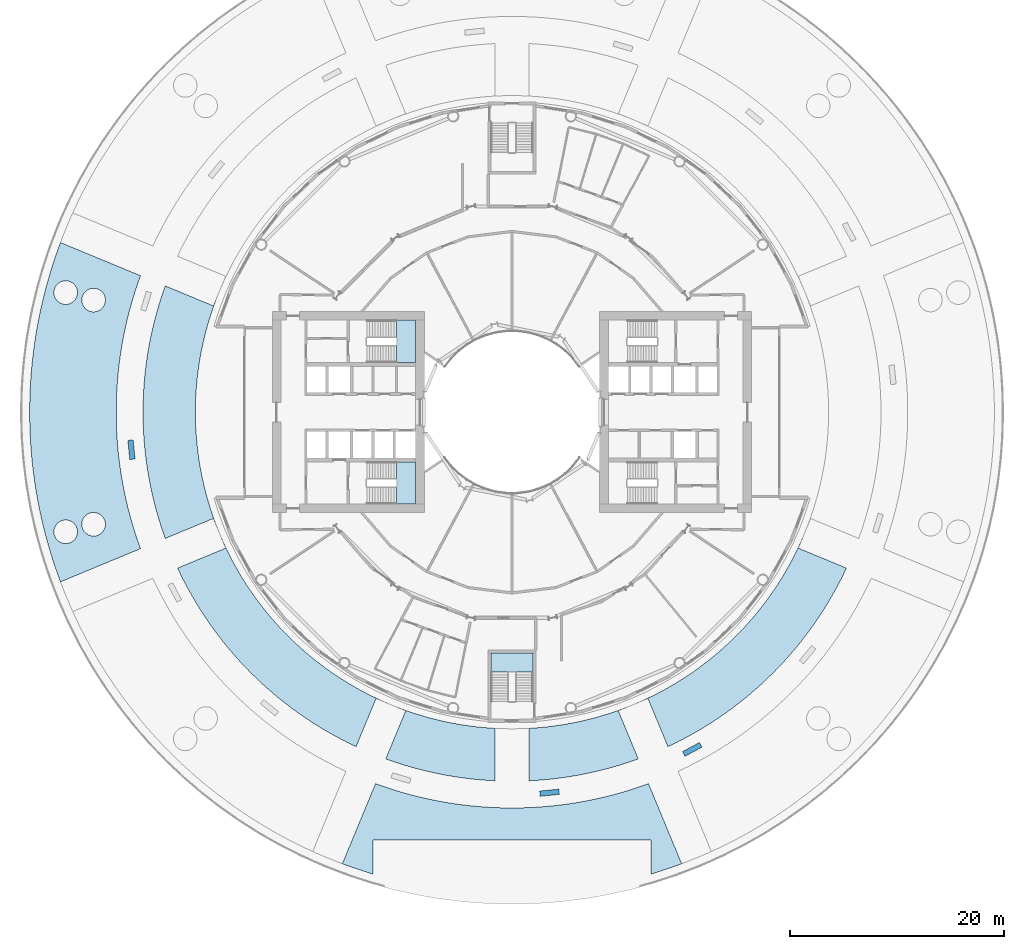
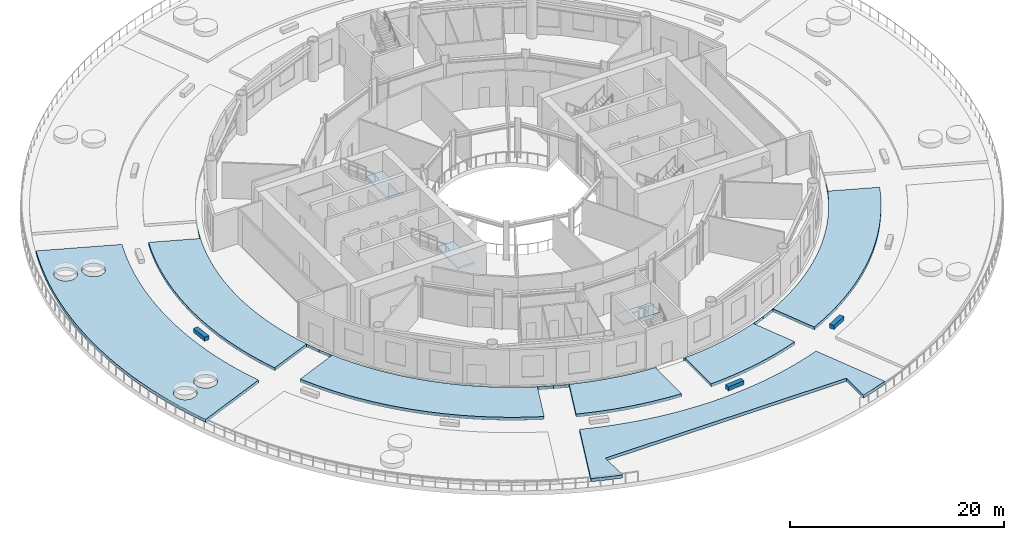
# One storey, part 4 of 19: 13 slabs, 3 elements without a shape of their own.
"""IFC4 building model written with IfcOpenShell, lengths in metres."""

from ifc_helpers import new_model, si_unit, direction, frame, origin, place, context, subcontext, project, spatial, polyline, outline, extrude, material, layer, layer_set, type_object, element, aggregate, save


model = new_model("IFC4")

# Units and contexts
model_context = context("Model", 3, precision=1e-05, world=origin(), true_north=direction((0.0, 1.0)))
body_context = subcontext(model_context, "Body", "Model", "MODEL_VIEW")
ifc_project = project(units=[si_unit("LENGTHUNIT", "METRE"), si_unit("AREAUNIT", "SQUARE_METRE"), si_unit("VOLUMEUNIT", "CUBIC_METRE"), si_unit("PLANEANGLEUNIT", "RADIAN"), si_unit("MASSUNIT", "GRAM", prefix="KILO")], contexts=[model_context])

# Site, building, storey
site_placement = place(None, origin())
site = spatial("IfcSite", under=ifc_project, at=site_placement, CompositionType="ELEMENT")
building_placement = place(site_placement, origin())
building = spatial("IfcBuilding", under=site, at=building_placement, Name="Maasbend Ring Residences", CompositionType="ELEMENT")
storey_placement = place(building_placement, frame((0.0, 0.0, 9.60009765625)))
storey = spatial("IfcBuildingStorey", under=building, at=storey_placement, Name="L02", CompositionType="ELEMENT", Elevation=9.60009765625)

# Slabs
ifc_material_1 = material(Name="Timber slats on steel frame", Category="steel")
ifc_layer_1 = layer(ifc_material_1, 0.449951171875)
ifc_layer_set_1 = layer_set([ifc_layer_1], Name="BENCH-DK")
slab_type_1 = type_object("IfcSlabType", Name="BENCH-DK", PredefinedType="USERDEFINED", material=ifc_layer_set_1)
slab_1_placement = place(storey_placement, frame((0.0, 0.0, 0.0498046875)))
element("IfcSlab", 1, at=slab_1_placement, inside=storey, type_object=slab_type_1, Name="Garden bench 9", ObjectType="BENCH", PredefinedType="USERDEFINED", context=body_context, shape_type="SweptSolid", body=[
    extrude(outline(polyline([(-35.9150390625, -2.633056640625), (-35.738037109375, -4.424072265625), (-35.240966796875, -4.375), (-35.4169921875, -2.583984375), (-35.9150390625, -2.633056640625)])), origin(), (0.0, 0.0, 1.0), 0.4501953125),
])
slab_2_placement = place(storey_placement, frame((0.0, 0.0, 0.0498046875)))
element("IfcSlab", 2, at=slab_2_placement, inside=storey, type_object=slab_type_1, Name="Garden bench 13", ObjectType="BENCH", PredefinedType="USERDEFINED", context=body_context, shape_type="SweptSolid", body=[
    extrude(outline(polyline([(2.633056640625, -35.9150390625), (4.424072265625, -35.738037109375), (4.375, -35.240966796875), (2.583984375, -35.4169921875), (2.633056640625, -35.9150390625)])), origin(), (0.0, 0.0, 1.0), 0.4501953125),
])
slab_3_placement = place(storey_placement, frame((0.0, 0.0, 0.0498046875)))
element("IfcSlab", 3, at=slab_3_placement, inside=storey, type_object=slab_type_1, Name="Garden bench 14", ObjectType="BENCH", PredefinedType="USERDEFINED", context=body_context, shape_type="SweptSolid", body=[
    extrude(outline(polyline([(16.177001953125, -32.173095703125), (17.763916015625, -31.324951171875), (17.528076171875, -30.884033203125), (15.94091796875, -31.73193359375), (16.177001953125, -32.173095703125)])), origin(), (0.0, 0.0, 1.0), 0.4501953125),
])

# Stair, slab
ifc_material_2 = material(Name="Concrete C40/50", Category="concrete")
stair_type = type_object("IfcStairType", Name="CORE STAIR 24 RISERS", PredefinedType="HALF_TURN_STAIR", material=ifc_material_2)
stair_1_placement = place(storey_placement, origin())
stair_1 = element("IfcStair", 4, at=stair_1_placement, inside=storey, type_object=stair_type, Name="L02 Exit stair ST-W1", PredefinedType="HALF_TURN_STAIR")
ifc_material_3 = material(Name="Concrete C40/50", Category="concrete")
ifc_layer_2 = layer(ifc_material_3, 0.199951171875)
ifc_layer_set_2 = layer_set([ifc_layer_2], Name="Concrete C40/50")
slab_type_2 = type_object("IfcSlabType", Name="CORE STAIR LANDING 200", PredefinedType="LANDING", material=ifc_layer_set_2)
slab_4_placement = place(storey_placement, frame((0.0, 0.0, 2.0498046875)))
slab_4 = element("IfcSlab", 5, at=slab_4_placement, type_object=slab_type_2, Name="ST-W1 landing 1", PredefinedType="LANDING", context=body_context, shape_type="SweptSolid", body=[
    extrude(outline(polyline([(-10.800048828125, -8.60009765625), (-9.0, -8.60009765625), (-9.0, -4.64990234375), (-10.800048828125, -4.64990234375), (-10.800048828125, -8.60009765625)])), origin(), (0.0, 0.0, 1.0), 0.2001953125),
])
aggregate(stair_1, [slab_4])

stair_2_placement = place(storey_placement, origin())
stair_2 = element("IfcStair", 6, at=stair_2_placement, inside=storey, type_object=stair_type, Name="L02 Exit stair ST-W2", PredefinedType="HALF_TURN_STAIR")
slab_5_placement = place(storey_placement, frame((0.0, 0.0, 2.0498046875)))
slab_5 = element("IfcSlab", 7, at=slab_5_placement, type_object=slab_type_2, Name="ST-W2 landing 1", PredefinedType="LANDING", context=body_context, shape_type="SweptSolid", body=[
    extrude(outline(polyline([(-10.800048828125, 4.64990234375), (-9.0, 4.64990234375), (-9.0, 8.60009765625), (-10.800048828125, 8.60009765625), (-10.800048828125, 4.64990234375)])), origin(), (0.0, 0.0, 1.0), 0.2001953125),
])
aggregate(stair_2, [slab_5])

stair_3_placement = place(storey_placement, origin())
stair_3 = element("IfcStair", 8, at=stair_3_placement, inside=storey, type_object=stair_type, Name="L02 Exit stair ST-P3", PredefinedType="HALF_TURN_STAIR")
slab_6_placement = place(storey_placement, frame((0.0, 0.0, 2.0498046875)))
slab_6 = element("IfcSlab", 9, at=slab_6_placement, type_object=slab_type_2, Name="ST-P3 landing 1", PredefinedType="LANDING", context=body_context, shape_type="SweptSolid", body=[
    extrude(outline(polyline([(1.97509765625, -24.300048828125), (1.97509765625, -22.5), (-1.97509765625, -22.5), (-1.97509765625, -24.300048828125), (1.97509765625, -24.300048828125)])), origin(), (0.0, 0.0, 1.0), 0.2001953125),
])
aggregate(stair_3, [slab_6])

# Slabs
ifc_material_4 = material(Name="Lawn and planting")
ifc_layer_3 = layer(ifc_material_4, 0.89990234375)
ifc_layer_set_3 = layer_set([ifc_layer_3], Name="PLANTER-DK")
slab_type_3 = type_object("IfcSlabType", Name="PLANTER-DK", PredefinedType="USERDEFINED", material=ifc_layer_set_3)
slab_7_placement = place(storey_placement, origin())
element("IfcSlab", 10, at=slab_7_placement, inside=storey, type_object=slab_type_3, Name="Lawn and planting bed 3", ObjectType="PLANTER", PredefinedType="USERDEFINED", context=body_context, shape_type="SweptSolid", body=[
    extrude(outline(polyline([(14.4970703125, -42.70703125), (13.7958984375, -42.93798828125), (13.092041015625, -43.157958984375), (13.0, -43.18505859375), (13.0, -40.0), (-13.0, -40.0), (-13.0, -43.18505859375), (-13.092041015625, -43.157958984375), (-13.7958984375, -42.93798828125), (-14.4970703125, -42.70703125), (-15.194091796875, -42.464111328125), (-15.864013671875, -42.218017578125), (-12.760986328125, -34.72802734375), (-12.465087890625, -34.8369140625), (-11.89306640625, -35.035888671875), (-11.318115234375, -35.22607421875), (-10.740966796875, -35.406982421875), (-10.159912109375, -35.577880859375), (-9.575927734375, -35.739013671875), (-8.989990234375, -35.89111328125), (-8.402099609375, -36.032958984375), (-7.81103515625, -36.166015625), (-7.218017578125, -36.2890625), (-6.6240234375, -36.402099609375), (-6.027099609375, -36.506103515625), (-5.428955078125, -36.60009765625), (-4.8291015625, -36.68310546875), (-4.22900390625, -36.758056640625), (-3.626953125, -36.822021484375), (-3.02392578125, -36.8759765625), (-2.419921875, -36.9208984375), (-1.81591796875, -36.955078125), (-1.2109375, -36.97998046875), (-0.60498046875, -36.9951171875), (0.0, -37.0), (0.60498046875, -36.9951171875), (1.2109375, -36.97998046875), (1.81591796875, -36.955078125), (2.419921875, -36.9208984375), (3.02392578125, -36.8759765625), (3.626953125, -36.822021484375), (4.22900390625, -36.758056640625), (4.8291015625, -36.68310546875), (5.428955078125, -36.60009765625), (6.027099609375, -36.506103515625), (6.6240234375, -36.402099609375), (7.218017578125, -36.2890625), (7.81103515625, -36.166015625), (8.402099609375, -36.032958984375), (8.989990234375, -35.89111328125), (9.575927734375, -35.739013671875), (10.159912109375, -35.577880859375), (10.740966796875, -35.406982421875), (11.318115234375, -35.22607421875), (11.89306640625, -35.035888671875), (12.465087890625, -34.8369140625), (12.760986328125, -34.72802734375), (15.864013671875, -42.218017578125), (15.885986328125, -42.208984375), (15.194091796875, -42.464111328125), (14.4970703125, -42.70703125)])), origin(), (0.0, 0.0, 1.0), 0.349853515625),
])
slab_8_placement = place(storey_placement, origin())
element("IfcSlab", 11, at=slab_8_placement, inside=storey, type_object=slab_type_3, Name="Lawn and planting bed 5", ObjectType="PLANTER", PredefinedType="USERDEFINED", context=body_context, shape_type="SweptSolid", body=[
    extrude(outline(polyline([(-42.70703125, -14.4970703125), (-42.93798828125, -13.7958984375), (-43.157958984375, -13.092041015625), (-43.365966796875, -12.384033203125), (-43.56298828125, -11.673095703125), (-43.748046875, -10.9580078125), (-43.922119140625, -10.240966796875), (-44.083984375, -9.52099609375), (-44.23291015625, -8.799072265625), (-44.37109375, -8.073974609375), (-44.498046875, -7.346923828125), (-44.612060546875, -6.617919921875), (-44.714111328125, -5.886962890625), (-44.803955078125, -5.154052734375), (-44.883056640625, -4.4208984375), (-44.948974609375, -3.68603515625), (-45.0029296875, -2.949951171875), (-45.0458984375, -2.212890625), (-45.075927734375, -1.47607421875), (-45.093994140625, -0.738037109375), (-45.10009765625, 0.0), (-45.093994140625, 0.738037109375), (-45.075927734375, 1.47607421875), (-45.0458984375, 2.212890625), (-45.0029296875, 2.949951171875), (-44.948974609375, 3.68603515625), (-44.883056640625, 4.4208984375), (-44.803955078125, 5.154052734375), (-44.714111328125, 5.886962890625), (-44.612060546875, 6.617919921875), (-44.498046875, 7.346923828125), (-44.37109375, 8.073974609375), (-44.23291015625, 8.799072265625), (-44.083984375, 9.52099609375), (-43.922119140625, 10.240966796875), (-43.748046875, 10.9580078125), (-43.56298828125, 11.673095703125), (-43.365966796875, 12.384033203125), (-43.157958984375, 13.092041015625), (-42.93798828125, 13.7958984375), (-42.70703125, 14.4970703125), (-42.464111328125, 15.194091796875), (-42.218017578125, 15.864013671875), (-34.72802734375, 12.760986328125), (-34.8369140625, 12.465087890625), (-35.035888671875, 11.89306640625), (-35.22607421875, 11.318115234375), (-35.406982421875, 10.740966796875), (-35.577880859375, 10.159912109375), (-35.739013671875, 9.575927734375), (-35.89111328125, 8.989990234375), (-36.032958984375, 8.402099609375), (-36.166015625, 7.81103515625), (-36.2890625, 7.218017578125), (-36.402099609375, 6.6240234375), (-36.506103515625, 6.027099609375), (-36.60009765625, 5.428955078125), (-36.68310546875, 4.8291015625), (-36.758056640625, 4.22900390625), (-36.822021484375, 3.626953125), (-36.8759765625, 3.02392578125), (-36.9208984375, 2.419921875), (-36.955078125, 1.81591796875), (-36.97998046875, 1.2109375), (-36.9951171875, 0.60498046875), (-37.0, 0.0), (-36.9951171875, -0.60498046875), (-36.97998046875, -1.2109375), (-36.955078125, -1.81591796875), (-36.9208984375, -2.419921875), (-36.8759765625, -3.02392578125), (-36.822021484375, -3.626953125), (-36.758056640625, -4.22900390625), (-36.68310546875, -4.8291015625), (-36.60009765625, -5.428955078125), (-36.506103515625, -6.027099609375), (-36.402099609375, -6.6240234375), (-36.2890625, -7.218017578125), (-36.166015625, -7.81103515625), (-36.032958984375, -8.402099609375), (-35.89111328125, -8.989990234375), (-35.739013671875, -9.575927734375), (-35.577880859375, -10.159912109375), (-35.406982421875, -10.740966796875), (-35.22607421875, -11.318115234375), (-35.035888671875, -11.89306640625), (-34.8369140625, -12.465087890625), (-34.72802734375, -12.760986328125), (-42.218017578125, -15.864013671875), (-42.464111328125, -15.194091796875), (-42.70703125, -14.4970703125)]), holes=[polyline([(-38.1669921875, 9.931884765625), (-38.10400390625, 10.06103515625), (-38.056884765625, 10.197021484375), (-38.029052734375, 10.339111328125), (-38.02001953125, 10.48193359375), (-38.029052734375, 10.6259765625), (-38.056884765625, 10.76708984375), (-38.10400390625, 10.903076171875), (-38.1669921875, 11.031982421875), (-38.2470703125, 11.152099609375), (-38.342041015625, 11.260009765625), (-38.449951171875, 11.35498046875), (-38.570068359375, 11.43505859375), (-38.698974609375, 11.498046875), (-38.8349609375, 11.544921875), (-38.97607421875, 11.572998046875), (-39.1201171875, 11.58203125), (-39.263916015625, 11.572998046875), (-39.405029296875, 11.544921875), (-39.541015625, 11.498046875), (-39.669921875, 11.43505859375), (-39.7900390625, 11.35498046875), (-39.89794921875, 11.260009765625), (-39.992919921875, 11.152099609375), (-40.072998046875, 11.031982421875), (-40.135986328125, 10.903076171875), (-40.18310546875, 10.76708984375), (-40.2109375, 10.6259765625), (-40.219970703125, 10.48193359375), (-40.2109375, 10.339111328125), (-40.18310546875, 10.197021484375), (-40.135986328125, 10.06103515625), (-40.072998046875, 9.931884765625), (-39.992919921875, 9.81298828125), (-39.89794921875, 9.7041015625), (-39.7900390625, 9.60888671875), (-39.669921875, 9.530029296875), (-39.541015625, 9.466064453125), (-39.405029296875, 9.419921875), (-39.263916015625, 9.39208984375), (-39.1201171875, 9.382080078125), (-38.97607421875, 9.39208984375), (-38.8349609375, 9.419921875), (-38.698974609375, 9.466064453125), (-38.570068359375, 9.530029296875), (-38.449951171875, 9.60888671875), (-38.342041015625, 9.7041015625), (-38.2470703125, 9.81298828125), (-38.1669921875, 9.931884765625)]), polyline([(-38.1669921875, -11.031982421875), (-38.10400390625, -10.903076171875), (-38.056884765625, -10.76708984375), (-38.029052734375, -10.6259765625), (-38.02001953125, -10.48193359375), (-38.029052734375, -10.339111328125), (-38.056884765625, -10.197021484375), (-38.10400390625, -10.06103515625), (-38.1669921875, -9.931884765625), (-38.2470703125, -9.81298828125), (-38.342041015625, -9.7041015625), (-38.449951171875, -9.60888671875), (-38.570068359375, -9.530029296875), (-38.698974609375, -9.466064453125), (-38.8349609375, -9.419921875), (-38.97607421875, -9.39208984375), (-39.1201171875, -9.382080078125), (-39.263916015625, -9.39208984375), (-39.405029296875, -9.419921875), (-39.541015625, -9.466064453125), (-39.669921875, -9.530029296875), (-39.7900390625, -9.60888671875), (-39.89794921875, -9.7041015625), (-39.992919921875, -9.81298828125), (-40.072998046875, -9.931884765625), (-40.135986328125, -10.06103515625), (-40.18310546875, -10.197021484375), (-40.2109375, -10.339111328125), (-40.219970703125, -10.48193359375), (-40.2109375, -10.6259765625), (-40.18310546875, -10.76708984375), (-40.135986328125, -10.903076171875), (-40.072998046875, -11.031982421875), (-39.992919921875, -11.152099609375), (-39.89794921875, -11.260009765625), (-39.7900390625, -11.35498046875), (-39.669921875, -11.43505859375), (-39.541015625, -11.498046875), (-39.405029296875, -11.544921875), (-39.263916015625, -11.572998046875), (-39.1201171875, -11.58203125), (-38.97607421875, -11.572998046875), (-38.8349609375, -11.544921875), (-38.698974609375, -11.498046875), (-38.570068359375, -11.43505859375), (-38.449951171875, -11.35498046875), (-38.342041015625, -11.260009765625), (-38.2470703125, -11.152099609375), (-38.1669921875, -11.031982421875)]), polyline([(-40.7119140625, 10.760009765625), (-40.6650390625, 10.89599609375), (-40.636962890625, 11.037109375), (-40.6279296875, 11.180908203125), (-40.636962890625, 11.324951171875), (-40.6650390625, 11.466064453125), (-40.7119140625, 11.60205078125), (-40.77490234375, 11.73095703125), (-40.85498046875, 11.85107421875), (-40.949951171875, 11.958984375), (-41.05810546875, 12.053955078125), (-41.177978515625, 12.134033203125), (-41.306884765625, 12.197021484375), (-41.443115234375, 12.243896484375), (-41.583984375, 12.27197265625), (-41.72802734375, 12.281005859375), (-41.8720703125, 12.27197265625), (-42.012939453125, 12.243896484375), (-42.14892578125, 12.197021484375), (-42.278076171875, 12.134033203125), (-42.39794921875, 12.053955078125), (-42.506103515625, 11.958984375), (-42.60107421875, 11.85107421875), (-42.680908203125, 11.73095703125), (-42.743896484375, 11.60205078125), (-42.791015625, 11.466064453125), (-42.819091796875, 11.324951171875), (-42.827880859375, 11.180908203125), (-42.819091796875, 11.037109375), (-42.791015625, 10.89599609375), (-42.743896484375, 10.760009765625), (-42.680908203125, 10.631103515625), (-42.60107421875, 10.510986328125), (-42.506103515625, 10.403076171875), (-42.39794921875, 10.30810546875), (-42.278076171875, 10.22802734375), (-42.14892578125, 10.1650390625), (-42.012939453125, 10.117919921875), (-41.8720703125, 10.090087890625), (-41.72802734375, 10.0810546875), (-41.583984375, 10.090087890625), (-41.443115234375, 10.117919921875), (-41.306884765625, 10.1650390625), (-41.177978515625, 10.22802734375), (-41.05810546875, 10.30810546875), (-40.949951171875, 10.403076171875), (-40.85498046875, 10.510986328125), (-40.77490234375, 10.631103515625), (-40.7119140625, 10.760009765625)]), polyline([(-40.7119140625, -11.60205078125), (-40.6650390625, -11.466064453125), (-40.636962890625, -11.324951171875), (-40.6279296875, -11.180908203125), (-40.636962890625, -11.037109375), (-40.6650390625, -10.89599609375), (-40.7119140625, -10.760009765625), (-40.77490234375, -10.631103515625), (-40.85498046875, -10.510986328125), (-40.949951171875, -10.403076171875), (-41.05810546875, -10.30810546875), (-41.177978515625, -10.22802734375), (-41.306884765625, -10.1650390625), (-41.443115234375, -10.117919921875), (-41.583984375, -10.090087890625), (-41.72802734375, -10.0810546875), (-41.8720703125, -10.090087890625), (-42.012939453125, -10.117919921875), (-42.14892578125, -10.1650390625), (-42.278076171875, -10.22802734375), (-42.39794921875, -10.30810546875), (-42.506103515625, -10.403076171875), (-42.60107421875, -10.510986328125), (-42.680908203125, -10.631103515625), (-42.743896484375, -10.760009765625), (-42.791015625, -10.89599609375), (-42.819091796875, -11.037109375), (-42.827880859375, -11.180908203125), (-42.819091796875, -11.324951171875), (-42.791015625, -11.466064453125), (-42.743896484375, -11.60205078125), (-42.680908203125, -11.73095703125), (-42.60107421875, -11.85107421875), (-42.506103515625, -11.958984375), (-42.39794921875, -12.053955078125), (-42.278076171875, -12.134033203125), (-42.14892578125, -12.197021484375), (-42.012939453125, -12.243896484375), (-41.8720703125, -12.27197265625), (-41.72802734375, -12.281005859375), (-41.583984375, -12.27197265625), (-41.443115234375, -12.243896484375), (-41.306884765625, -12.197021484375), (-41.177978515625, -12.134033203125), (-41.05810546875, -12.053955078125), (-40.949951171875, -11.958984375), (-40.85498046875, -11.85107421875), (-40.77490234375, -11.73095703125), (-40.7119140625, -11.60205078125)])]), origin(), (0.0, 0.0, 1.0), 0.349853515625),
])
slab_9_placement = place(storey_placement, origin())
element("IfcSlab", 12, at=slab_9_placement, inside=storey, type_object=slab_type_3, Name="Lawn and planting bed 14", ObjectType="PLANTER", PredefinedType="USERDEFINED", context=body_context, shape_type="SweptSolid", body=[
    extrude(outline(polyline([(-27.702880859375, 10.427001953125), (-27.8701171875, 9.971923828125), (-28.029052734375, 9.514892578125), (-28.180908203125, 9.054931640625), (-28.324951171875, 8.592041015625), (-28.4619140625, 8.1279296875), (-28.591064453125, 7.660888671875), (-28.712890625, 7.19189453125), (-28.826904296875, 6.720947265625), (-28.93310546875, 6.2490234375), (-29.031005859375, 5.77490234375), (-29.1220703125, 5.299072265625), (-29.205078125, 4.822021484375), (-29.280029296875, 4.343017578125), (-29.346923828125, 3.864013671875), (-29.406005859375, 3.383056640625), (-29.45703125, 2.90087890625), (-29.5009765625, 2.4189453125), (-29.537109375, 1.93603515625), (-29.56396484375, 1.451904296875), (-29.583984375, 0.968017578125), (-29.595947265625, 0.48388671875), (-29.60009765625, 0.0), (-29.595947265625, -0.48388671875), (-29.583984375, -0.968017578125), (-29.56396484375, -1.451904296875), (-29.537109375, -1.93603515625), (-29.5009765625, -2.4189453125), (-29.45703125, -2.90087890625), (-29.406005859375, -3.383056640625), (-29.346923828125, -3.864013671875), (-29.280029296875, -4.343017578125), (-29.205078125, -4.822021484375), (-29.1220703125, -5.299072265625), (-29.031005859375, -5.77490234375), (-28.93310546875, -6.2490234375), (-28.826904296875, -6.720947265625), (-28.712890625, -7.19189453125), (-28.591064453125, -7.660888671875), (-28.4619140625, -8.1279296875), (-28.324951171875, -8.592041015625), (-28.180908203125, -9.054931640625), (-28.029052734375, -9.514892578125), (-27.8701171875, -9.971923828125), (-27.702880859375, -10.427001953125), (-27.529052734375, -10.8779296875), (-27.346923828125, -11.326904296875), (-27.9208984375, -9.94189453125), (-32.4169921875, -11.803955078125), (-32.48291015625, -11.623046875), (-32.6689453125, -11.090087890625), (-32.845947265625, -10.553955078125), (-33.013916015625, -10.014892578125), (-33.174072265625, -9.472900390625), (-33.323974609375, -8.928955078125), (-33.466064453125, -8.383056640625), (-33.59912109375, -7.833984375), (-33.721923828125, -7.282958984375), (-33.8369140625, -6.73095703125), (-33.943115234375, -6.176025390625), (-34.0390625, -5.6201171875), (-34.126953125, -5.06201171875), (-34.205078125, -4.5029296875), (-34.27392578125, -3.943115234375), (-34.333984375, -3.382080078125), (-34.385009765625, -2.819091796875), (-34.426025390625, -2.256103515625), (-34.4580078125, -1.693115234375), (-34.48193359375, -1.12890625), (-34.4951171875, -0.56396484375), (-34.5, 0.0), (-34.4951171875, 0.56396484375), (-34.48193359375, 1.12890625), (-34.4580078125, 1.693115234375), (-34.426025390625, 2.256103515625), (-34.385009765625, 2.819091796875), (-34.333984375, 3.382080078125), (-34.27392578125, 3.943115234375), (-34.205078125, 4.5029296875), (-34.126953125, 5.06201171875), (-34.0390625, 5.6201171875), (-33.943115234375, 6.176025390625), (-33.8369140625, 6.73095703125), (-33.721923828125, 7.282958984375), (-33.59912109375, 7.833984375), (-33.466064453125, 8.383056640625), (-33.323974609375, 8.928955078125), (-33.174072265625, 9.472900390625), (-33.013916015625, 10.014892578125), (-32.845947265625, 10.553955078125), (-32.6689453125, 11.090087890625), (-32.48291015625, 11.623046875), (-32.4169921875, 11.803955078125), (-27.9208984375, 9.94189453125), (-27.346923828125, 11.326904296875), (-27.529052734375, 10.8779296875), (-27.702880859375, 10.427001953125)])), origin(), (0.0, 0.0, 1.0), 0.349853515625),
])
slab_10_placement = place(storey_placement, origin())
element("IfcSlab", 13, at=slab_10_placement, inside=storey, type_object=slab_type_3, Name="Lawn and planting bed 15", ObjectType="PLANTER", PredefinedType="USERDEFINED", context=body_context, shape_type="SweptSolid", body=[
    extrude(outline(polyline([(-26.9619140625, -12.216064453125), (-26.758056640625, -12.656005859375), (-26.547119140625, -13.092041015625), (-26.330078125, -13.52392578125), (-26.10498046875, -13.952880859375), (-25.873046875, -14.37890625), (-25.634033203125, -14.800048828125), (-25.388916015625, -15.217041015625), (-25.135986328125, -15.631103515625), (-24.876953125, -16.0400390625), (-24.612060546875, -16.445068359375), (-24.339111328125, -16.844970703125), (-24.06005859375, -17.240966796875), (-23.77490234375, -17.633056640625), (-23.48291015625, -18.01904296875), (-23.18505859375, -18.40087890625), (-22.881103515625, -18.778076171875), (-22.571044921875, -19.14990234375), (-22.25390625, -19.51708984375), (-21.931884765625, -19.8779296875), (-21.60400390625, -20.23388671875), (-21.27001953125, -20.5849609375), (-20.929931640625, -20.929931640625), (-20.5849609375, -21.27001953125), (-20.23388671875, -21.60400390625), (-19.8779296875, -21.931884765625), (-19.51708984375, -22.25390625), (-19.14990234375, -22.571044921875), (-18.778076171875, -22.881103515625), (-18.40087890625, -23.18505859375), (-18.01904296875, -23.48291015625), (-17.633056640625, -23.77490234375), (-17.240966796875, -24.06005859375), (-16.844970703125, -24.339111328125), (-16.445068359375, -24.612060546875), (-16.0400390625, -24.876953125), (-15.631103515625, -25.135986328125), (-15.217041015625, -25.388916015625), (-14.800048828125, -25.634033203125), (-14.37890625, -25.873046875), (-13.952880859375, -26.10498046875), (-13.52392578125, -26.330078125), (-13.092041015625, -26.547119140625), (-12.656005859375, -26.758056640625), (-12.216064453125, -26.9619140625), (-11.77294921875, -27.157958984375), (-11.326904296875, -27.346923828125), (-12.712890625, -26.77294921875), (-14.575927734375, -31.26904296875), (-14.7509765625, -31.18798828125), (-15.259033203125, -30.94189453125), (-15.762939453125, -30.68798828125), (-16.262939453125, -30.426025390625), (-16.759033203125, -30.156005859375), (-17.25, -29.8779296875), (-17.737060546875, -29.592041015625), (-18.218017578125, -29.297119140625), (-18.695068359375, -28.9951171875), (-19.1669921875, -28.68603515625), (-19.634033203125, -28.367919921875), (-20.094970703125, -28.04296875), (-20.552001953125, -27.7109375), (-21.001953125, -27.37109375), (-21.447021484375, -27.02294921875), (-21.886962890625, -26.6689453125), (-22.320068359375, -26.306884765625), (-22.7470703125, -25.93798828125), (-23.1689453125, -25.56298828125), (-23.583984375, -25.179931640625), (-23.992919921875, -24.791015625), (-24.39501953125, -24.39501953125), (-24.791015625, -23.992919921875), (-25.179931640625, -23.583984375), (-25.56298828125, -23.1689453125), (-25.93798828125, -22.7470703125), (-26.306884765625, -22.320068359375), (-26.6689453125, -21.886962890625), (-27.02294921875, -21.447021484375), (-27.37109375, -21.001953125), (-27.7109375, -20.552001953125), (-28.04296875, -20.094970703125), (-28.367919921875, -19.634033203125), (-28.68603515625, -19.1669921875), (-28.9951171875, -18.695068359375), (-29.297119140625, -18.218017578125), (-29.592041015625, -17.737060546875), (-29.8779296875, -17.25), (-30.156005859375, -16.759033203125), (-30.426025390625, -16.262939453125), (-30.68798828125, -15.762939453125), (-30.94189453125, -15.259033203125), (-31.18798828125, -14.7509765625), (-31.26904296875, -14.575927734375), (-26.77294921875, -12.712890625), (-27.346923828125, -11.326904296875), (-27.157958984375, -11.77294921875), (-26.9619140625, -12.216064453125)])), origin(), (0.0, 0.0, 1.0), 0.349853515625),
])
slab_11_placement = place(storey_placement, origin())
element("IfcSlab", 14, at=slab_11_placement, inside=storey, type_object=slab_type_3, Name="Lawn and planting bed 16", ObjectType="PLANTER", PredefinedType="USERDEFINED", context=body_context, shape_type="SweptSolid", body=[
    extrude(outline(polyline([(-10.427001953125, -27.702880859375), (-9.971923828125, -27.8701171875), (-9.514892578125, -28.029052734375), (-9.054931640625, -28.180908203125), (-8.592041015625, -28.324951171875), (-8.1279296875, -28.4619140625), (-7.660888671875, -28.591064453125), (-7.19189453125, -28.712890625), (-6.720947265625, -28.826904296875), (-6.2490234375, -28.93310546875), (-5.77490234375, -29.031005859375), (-5.299072265625, -29.1220703125), (-4.822021484375, -29.205078125), (-4.343017578125, -29.280029296875), (-3.864013671875, -29.346923828125), (-3.383056640625, -29.406005859375), (-2.90087890625, -29.45703125), (-2.4189453125, -29.5009765625), (-1.93603515625, -29.537109375), (-1.451904296875, -29.56396484375), (-1.60009765625, -29.555908203125), (-1.60009765625, -34.4619140625), (-1.693115234375, -34.4580078125), (-2.256103515625, -34.426025390625), (-2.819091796875, -34.385009765625), (-3.382080078125, -34.333984375), (-3.943115234375, -34.27392578125), (-4.5029296875, -34.205078125), (-5.06201171875, -34.126953125), (-5.6201171875, -34.0390625), (-6.176025390625, -33.943115234375), (-6.73095703125, -33.8369140625), (-7.282958984375, -33.721923828125), (-7.833984375, -33.59912109375), (-8.383056640625, -33.466064453125), (-8.928955078125, -33.323974609375), (-9.472900390625, -33.174072265625), (-10.014892578125, -33.013916015625), (-10.553955078125, -32.845947265625), (-11.090087890625, -32.6689453125), (-11.623046875, -32.48291015625), (-11.803955078125, -32.4169921875), (-9.94189453125, -27.9208984375), (-11.326904296875, -27.346923828125), (-10.8779296875, -27.529052734375), (-10.427001953125, -27.702880859375)])), origin(), (0.0, 0.0, 1.0), 0.349853515625),
])
slab_12_placement = place(storey_placement, origin())
element("IfcSlab", 15, at=slab_12_placement, inside=storey, type_object=slab_type_3, Name="Lawn and planting bed 17", ObjectType="PLANTER", PredefinedType="USERDEFINED", context=body_context, shape_type="SweptSolid", body=[
    extrude(outline(polyline([(2.4189453125, -29.5009765625), (2.90087890625, -29.45703125), (3.383056640625, -29.406005859375), (3.864013671875, -29.346923828125), (4.343017578125, -29.280029296875), (4.822021484375, -29.205078125), (5.299072265625, -29.1220703125), (5.77490234375, -29.031005859375), (6.2490234375, -28.93310546875), (6.720947265625, -28.826904296875), (7.19189453125, -28.712890625), (7.660888671875, -28.591064453125), (8.1279296875, -28.4619140625), (8.592041015625, -28.324951171875), (9.054931640625, -28.180908203125), (9.514892578125, -28.029052734375), (9.971923828125, -27.8701171875), (10.427001953125, -27.702880859375), (10.8779296875, -27.529052734375), (11.326904296875, -27.346923828125), (9.94189453125, -27.9208984375), (11.803955078125, -32.4169921875), (11.623046875, -32.48291015625), (11.090087890625, -32.6689453125), (10.553955078125, -32.845947265625), (10.014892578125, -33.013916015625), (9.472900390625, -33.174072265625), (8.928955078125, -33.323974609375), (8.383056640625, -33.466064453125), (7.833984375, -33.59912109375), (7.282958984375, -33.721923828125), (6.73095703125, -33.8369140625), (6.176025390625, -33.943115234375), (5.6201171875, -34.0390625), (5.06201171875, -34.126953125), (4.5029296875, -34.205078125), (3.943115234375, -34.27392578125), (3.382080078125, -34.333984375), (2.819091796875, -34.385009765625), (2.256103515625, -34.426025390625), (1.693115234375, -34.4580078125), (1.60009765625, -34.4619140625), (1.60009765625, -29.555908203125), (1.451904296875, -29.56396484375), (1.93603515625, -29.537109375), (2.4189453125, -29.5009765625)])), origin(), (0.0, 0.0, 1.0), 0.349853515625),
])
slab_13_placement = place(storey_placement, origin())
element("IfcSlab", 16, at=slab_13_placement, inside=storey, type_object=slab_type_3, Name="Lawn and planting bed 18", ObjectType="PLANTER", PredefinedType="USERDEFINED", context=body_context, shape_type="SweptSolid", body=[
    extrude(outline(polyline([(12.216064453125, -26.9619140625), (12.656005859375, -26.758056640625), (13.092041015625, -26.547119140625), (13.52392578125, -26.330078125), (13.952880859375, -26.10498046875), (14.37890625, -25.873046875), (14.800048828125, -25.634033203125), (15.217041015625, -25.388916015625), (15.631103515625, -25.135986328125), (16.0400390625, -24.876953125), (16.445068359375, -24.612060546875), (16.844970703125, -24.339111328125), (17.240966796875, -24.06005859375), (17.633056640625, -23.77490234375), (18.01904296875, -23.48291015625), (18.40087890625, -23.18505859375), (18.778076171875, -22.881103515625), (19.14990234375, -22.571044921875), (19.51708984375, -22.25390625), (19.8779296875, -21.931884765625), (20.23388671875, -21.60400390625), (20.5849609375, -21.27001953125), (20.929931640625, -20.929931640625), (21.27001953125, -20.5849609375), (21.60400390625, -20.23388671875), (21.931884765625, -19.8779296875), (22.25390625, -19.51708984375), (22.571044921875, -19.14990234375), (22.881103515625, -18.778076171875), (23.18505859375, -18.40087890625), (23.48291015625, -18.01904296875), (23.77490234375, -17.633056640625), (24.06005859375, -17.240966796875), (24.339111328125, -16.844970703125), (24.612060546875, -16.445068359375), (24.876953125, -16.0400390625), (25.135986328125, -15.631103515625), (25.388916015625, -15.217041015625), (25.634033203125, -14.800048828125), (25.873046875, -14.37890625), (26.10498046875, -13.952880859375), (26.330078125, -13.52392578125), (26.547119140625, -13.092041015625), (26.758056640625, -12.656005859375), (26.9619140625, -12.216064453125), (27.157958984375, -11.77294921875), (27.346923828125, -11.326904296875), (26.77294921875, -12.712890625), (31.26904296875, -14.575927734375), (31.18798828125, -14.7509765625), (30.94189453125, -15.259033203125), (30.68798828125, -15.762939453125), (30.426025390625, -16.262939453125), (30.156005859375, -16.759033203125), (29.8779296875, -17.25), (29.592041015625, -17.737060546875), (29.297119140625, -18.218017578125), (28.9951171875, -18.695068359375), (28.68603515625, -19.1669921875), (28.367919921875, -19.634033203125), (28.04296875, -20.094970703125), (27.7109375, -20.552001953125), (27.37109375, -21.001953125), (27.02294921875, -21.447021484375), (26.6689453125, -21.886962890625), (26.306884765625, -22.320068359375), (25.93798828125, -22.7470703125), (25.56298828125, -23.1689453125), (25.179931640625, -23.583984375), (24.791015625, -23.992919921875), (24.39501953125, -24.39501953125), (23.992919921875, -24.791015625), (23.583984375, -25.179931640625), (23.1689453125, -25.56298828125), (22.7470703125, -25.93798828125), (22.320068359375, -26.306884765625), (21.886962890625, -26.6689453125), (21.447021484375, -27.02294921875), (21.001953125, -27.37109375), (20.552001953125, -27.7109375), (20.094970703125, -28.04296875), (19.634033203125, -28.367919921875), (19.1669921875, -28.68603515625), (18.695068359375, -28.9951171875), (18.218017578125, -29.297119140625), (17.737060546875, -29.592041015625), (17.25, -29.8779296875), (16.759033203125, -30.156005859375), (16.262939453125, -30.426025390625), (15.762939453125, -30.68798828125), (15.259033203125, -30.94189453125), (14.7509765625, -31.18798828125), (14.575927734375, -31.26904296875), (12.712890625, -26.77294921875), (11.326904296875, -27.346923828125), (11.77294921875, -27.157958984375), (12.216064453125, -26.9619140625)])), origin(), (0.0, 0.0, 1.0), 0.349853515625),
])

save(model, "model.ifc")
